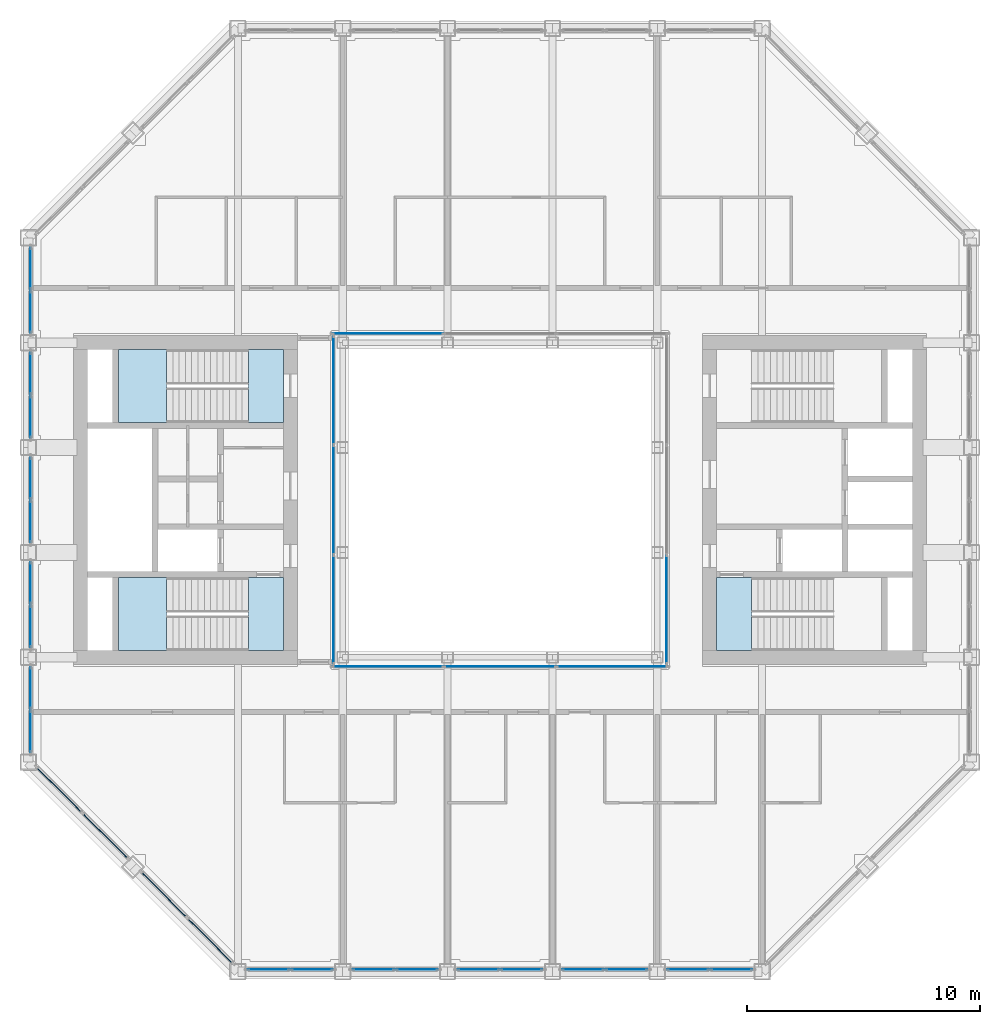
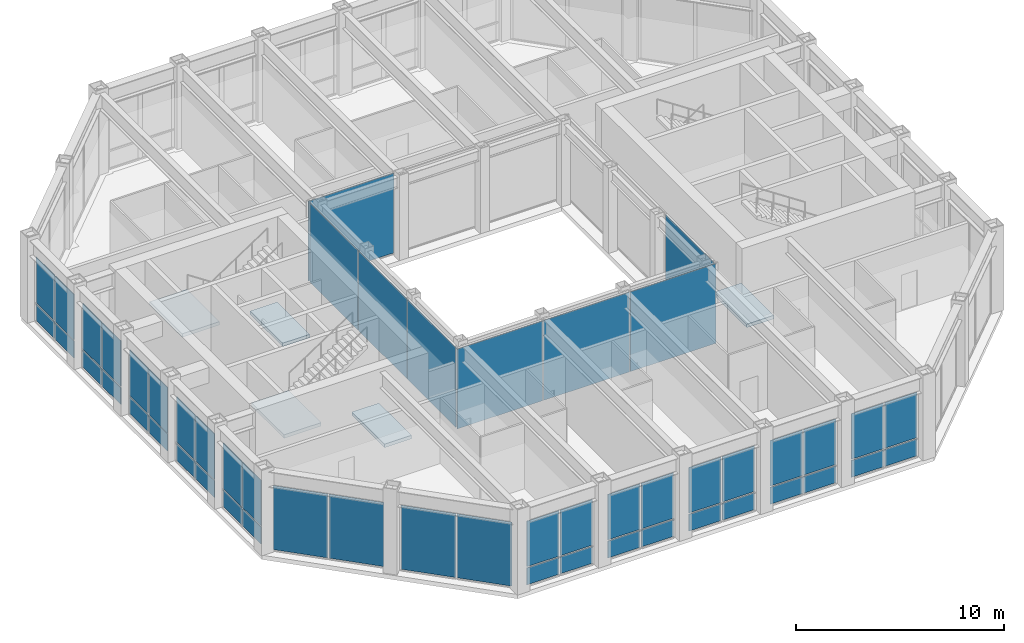
# One storey, part 9 of 15: 52 plates, 5 slabs, 19 elements without a shape of their own.
"""IFC4 building model written with IfcOpenShell, lengths in metres."""

from ifc_helpers import new_model, si_unit, direction, frame, origin, origin_2d, place, context, subcontext, project, spatial, polyline, rectangle, outline, extrude, material, layer, layer_set, type_object, element, aggregate, save


model = new_model("IFC4")

# Units and contexts
model_context = context("Model", 3, precision=1e-05, world=origin(), true_north=direction((0.0, 1.0)))
body_context = subcontext(model_context, "Body", "Model", "MODEL_VIEW")
ifc_project = project(units=[si_unit("LENGTHUNIT", "METRE"), si_unit("AREAUNIT", "SQUARE_METRE"), si_unit("VOLUMEUNIT", "CUBIC_METRE"), si_unit("PLANEANGLEUNIT", "RADIAN"), si_unit("MASSUNIT", "GRAM", prefix="KILO")], contexts=[model_context])

# Site, building, storey
site_placement = place(None, origin())
site = spatial("IfcSite", under=ifc_project, at=site_placement, CompositionType="ELEMENT")
building_placement = place(site_placement, origin())
building = spatial("IfcBuilding", under=site, at=building_placement, Name="Msasa Ring Tower", CompositionType="ELEMENT")
storey_placement = place(building_placement, frame((0.0, 0.0, 195.800048828125)))
storey = spatial("IfcBuildingStorey", under=building, at=storey_placement, Name="L51", CompositionType="ELEMENT", Elevation=195.800048828125)

# Curtain wall, plates
ifc_material_1 = material(Name="Aluminium curtain wall with clear glass", Category="aluminium")
curtain_wall_type_1 = type_object("IfcCurtainWallType", Name="CW-C CHAMFER CORNER CURTAIN WALL", PredefinedType="NOTDEFINED", material=ifc_material_1)
curtain_wall_1_placement = place(storey_placement, origin())
curtain_wall_1 = element("IfcCurtainWall", 1, at=curtain_wall_1_placement, inside=storey, type_object=curtain_wall_type_1, Name="Chamfer corner curtain wall SW L51", PredefinedType="NOTDEFINED")
ifc_material_2 = material(Name="Clear laminated insulating glass unit", Category="glass")
ifc_layer_1 = layer(ifc_material_2, 0.031982421875)
ifc_layer_set_1 = layer_set([ifc_layer_1], Name="CW-C GLASS PANEL 32")
plate_type_1 = type_object("IfcPlateType", Name="CW-C GLASS PANEL 32", PredefinedType="CURTAIN_PANEL", material=ifc_layer_set_1)
plate_1_placement = place(storey_placement, frame((-18.917236328125, -12.44140625, 0.06494140625), z_axis=(0.0, 0.0, 1.0), x_axis=(0.707106781187, -0.707106781187, 0.0)))
plate_1 = element("IfcPlate", 2, at=plate_1_placement, type_object=plate_type_1, Name="CW-C panel 1.1", PredefinedType="CURTAIN_PANEL", context=body_context, shape_type="SweptSolid", body=[
    extrude(rectangle(XDim=2.7294921875, YDim=0.031982421875, at=origin_2d()), origin(), (0.0, 0.0, 1.0), 3.7490234375),
])
plate_2_placement = place(storey_placement, frame((-16.94140625, -14.417236328125, 0.06494140625), z_axis=(0.0, 0.0, 1.0), x_axis=(0.707106781187, -0.707106781187, 0.0)))
plate_2 = element("IfcPlate", 3, at=plate_2_placement, type_object=plate_type_1, Name="CW-C panel 2.1", PredefinedType="CURTAIN_PANEL", context=body_context, shape_type="SweptSolid", body=[
    extrude(rectangle(XDim=2.7294921875, YDim=0.031982421875, at=origin_2d()), origin(), (0.0, 0.0, 1.0), 3.7490234375),
])
aggregate(curtain_wall_1, [plate_1, plate_2])

curtain_wall_2_placement = place(storey_placement, origin())
curtain_wall_2 = element("IfcCurtainWall", 4, at=curtain_wall_2_placement, inside=storey, type_object=curtain_wall_type_1, Name="Chamfer corner curtain wall SW L51", PredefinedType="NOTDEFINED")
plate_3_placement = place(storey_placement, frame((-14.417236328125, -16.94140625, 0.06494140625), z_axis=(0.0, 0.0, 1.0), x_axis=(0.707106781187, -0.707106781187, 0.0)))
plate_3 = element("IfcPlate", 5, at=plate_3_placement, type_object=plate_type_1, Name="CW-C panel 1.1", PredefinedType="CURTAIN_PANEL", context=body_context, shape_type="SweptSolid", body=[
    extrude(rectangle(XDim=2.7294921875, YDim=0.031982421875, at=origin_2d()), origin(), (0.0, 0.0, 1.0), 3.7490234375),
])
plate_4_placement = place(storey_placement, frame((-12.44140625, -18.917236328125, 0.06494140625), z_axis=(0.0, 0.0, 1.0), x_axis=(0.707106781187, -0.707106781187, 0.0)))
plate_4 = element("IfcPlate", 6, at=plate_4_placement, type_object=plate_type_1, Name="CW-C panel 2.1", PredefinedType="CURTAIN_PANEL", context=body_context, shape_type="SweptSolid", body=[
    extrude(rectangle(XDim=2.7294921875, YDim=0.031982421875, at=origin_2d()), origin(), (0.0, 0.0, 1.0), 3.7490234375),
])
aggregate(curtain_wall_2, [plate_3, plate_4])

ifc_material_3 = material(Name="Aluminium curtain wall with clear glass", Category="aluminium")
curtain_wall_type_2 = type_object("IfcCurtainWallType", Name="CW-S SKY LOBBY CURTAIN WALL", PredefinedType="NOTDEFINED", material=ifc_material_3)
curtain_wall_3_placement = place(storey_placement, origin())
curtain_wall_3 = element("IfcCurtainWall", 7, at=curtain_wall_3_placement, inside=storey, type_object=curtain_wall_type_2, Name="Sky lobby curtain wall S L51", PredefinedType="NOTDEFINED")
ifc_material_4 = material(Name="Clear laminated insulating glass unit", Category="glass")
ifc_layer_2 = layer(ifc_material_4, 0.035888671875)
ifc_layer_set_2 = layer_set([ifc_layer_2], Name="CW-S GLASS PANEL 36")
plate_type_2 = type_object("IfcPlateType", Name="CW-S GLASS PANEL 36", PredefinedType="CURTAIN_PANEL", material=ifc_layer_set_2)
plate_5_placement = place(storey_placement, frame((-9.9287109375, -20.14990234375, 0.07470703125), z_axis=(0.0, 0.0, 1.0), x_axis=(1.0, 0.0, 0.0)))
plate_5 = element("IfcPlate", 8, at=plate_5_placement, type_object=plate_type_2, Name="CW-S panel 1.1", PredefinedType="CURTAIN_PANEL", context=body_context, shape_type="SweptSolid", body=[
    extrude(rectangle(XDim=1.782470703125, YDim=0.035888671875, at=origin_2d()), origin(), (0.0, 0.0, 1.0), 0.987548828125),
])
plate_6_placement = place(storey_placement, frame((-9.9287109375, -20.14990234375, 1.137451171875), z_axis=(0.0, 0.0, 1.0), x_axis=(1.0, 0.0, 0.0)))
plate_6 = element("IfcPlate", 9, at=plate_6_placement, type_object=plate_type_2, Name="CW-S panel 1.2", PredefinedType="CURTAIN_PANEL", context=body_context, shape_type="SweptSolid", body=[
    extrude(rectangle(XDim=1.782470703125, YDim=0.035888671875, at=origin_2d()), origin(), (0.0, 0.0, 1.0), 2.66650390625),
])
plate_7_placement = place(storey_placement, frame((-8.0712890625, -20.14990234375, 0.07470703125), z_axis=(0.0, 0.0, 1.0), x_axis=(1.0, 0.0, 0.0)))
plate_7 = element("IfcPlate", 10, at=plate_7_placement, type_object=plate_type_2, Name="CW-S panel 2.1", PredefinedType="CURTAIN_PANEL", context=body_context, shape_type="SweptSolid", body=[
    extrude(rectangle(XDim=1.782470703125, YDim=0.035888671875, at=origin_2d()), origin(), (0.0, 0.0, 1.0), 0.987548828125),
])
plate_8_placement = place(storey_placement, frame((-8.0712890625, -20.14990234375, 1.137451171875), z_axis=(0.0, 0.0, 1.0), x_axis=(1.0, 0.0, 0.0)))
plate_8 = element("IfcPlate", 11, at=plate_8_placement, type_object=plate_type_2, Name="CW-S panel 2.2", PredefinedType="CURTAIN_PANEL", context=body_context, shape_type="SweptSolid", body=[
    extrude(rectangle(XDim=1.782470703125, YDim=0.035888671875, at=origin_2d()), origin(), (0.0, 0.0, 1.0), 2.66650390625),
])
aggregate(curtain_wall_3, [plate_5, plate_6, plate_7, plate_8])

curtain_wall_4_placement = place(storey_placement, origin())
curtain_wall_4 = element("IfcCurtainWall", 12, at=curtain_wall_4_placement, inside=storey, type_object=curtain_wall_type_2, Name="Sky lobby curtain wall S L51", PredefinedType="NOTDEFINED")
plate_9_placement = place(storey_placement, frame((-5.4287109375, -20.14990234375, 0.07470703125), z_axis=(0.0, 0.0, 1.0), x_axis=(1.0, 0.0, 0.0)))
plate_9 = element("IfcPlate", 13, at=plate_9_placement, type_object=plate_type_2, Name="CW-S panel 1.1", PredefinedType="CURTAIN_PANEL", context=body_context, shape_type="SweptSolid", body=[
    extrude(rectangle(XDim=1.782470703125, YDim=0.035888671875, at=origin_2d()), origin(), (0.0, 0.0, 1.0), 0.987548828125),
])
plate_10_placement = place(storey_placement, frame((-5.4287109375, -20.14990234375, 1.137451171875), z_axis=(0.0, 0.0, 1.0), x_axis=(1.0, 0.0, 0.0)))
plate_10 = element("IfcPlate", 14, at=plate_10_placement, type_object=plate_type_2, Name="CW-S panel 1.2", PredefinedType="CURTAIN_PANEL", context=body_context, shape_type="SweptSolid", body=[
    extrude(rectangle(XDim=1.782470703125, YDim=0.035888671875, at=origin_2d()), origin(), (0.0, 0.0, 1.0), 2.66650390625),
])
plate_11_placement = place(storey_placement, frame((-3.5712890625, -20.14990234375, 0.07470703125), z_axis=(0.0, 0.0, 1.0), x_axis=(1.0, 0.0, 0.0)))
plate_11 = element("IfcPlate", 15, at=plate_11_placement, type_object=plate_type_2, Name="CW-S panel 2.1", PredefinedType="CURTAIN_PANEL", context=body_context, shape_type="SweptSolid", body=[
    extrude(rectangle(XDim=1.782470703125, YDim=0.035888671875, at=origin_2d()), origin(), (0.0, 0.0, 1.0), 0.987548828125),
])
plate_12_placement = place(storey_placement, frame((-3.5712890625, -20.14990234375, 1.137451171875), z_axis=(0.0, 0.0, 1.0), x_axis=(1.0, 0.0, 0.0)))
plate_12 = element("IfcPlate", 16, at=plate_12_placement, type_object=plate_type_2, Name="CW-S panel 2.2", PredefinedType="CURTAIN_PANEL", context=body_context, shape_type="SweptSolid", body=[
    extrude(rectangle(XDim=1.782470703125, YDim=0.035888671875, at=origin_2d()), origin(), (0.0, 0.0, 1.0), 2.66650390625),
])
aggregate(curtain_wall_4, [plate_9, plate_10, plate_11, plate_12])

curtain_wall_5_placement = place(storey_placement, origin())
curtain_wall_5 = element("IfcCurtainWall", 17, at=curtain_wall_5_placement, inside=storey, type_object=curtain_wall_type_2, Name="Sky lobby curtain wall S L51", PredefinedType="NOTDEFINED")
plate_13_placement = place(storey_placement, frame((-0.9287109375, -20.14990234375, 0.07470703125), z_axis=(0.0, 0.0, 1.0), x_axis=(1.0, 0.0, 0.0)))
plate_13 = element("IfcPlate", 18, at=plate_13_placement, type_object=plate_type_2, Name="CW-S panel 1.1", PredefinedType="CURTAIN_PANEL", context=body_context, shape_type="SweptSolid", body=[
    extrude(rectangle(XDim=1.782470703125, YDim=0.035888671875, at=origin_2d()), origin(), (0.0, 0.0, 1.0), 0.987548828125),
])
plate_14_placement = place(storey_placement, frame((-0.9287109375, -20.14990234375, 1.137451171875), z_axis=(0.0, 0.0, 1.0), x_axis=(1.0, 0.0, 0.0)))
plate_14 = element("IfcPlate", 19, at=plate_14_placement, type_object=plate_type_2, Name="CW-S panel 1.2", PredefinedType="CURTAIN_PANEL", context=body_context, shape_type="SweptSolid", body=[
    extrude(rectangle(XDim=1.782470703125, YDim=0.035888671875, at=origin_2d()), origin(), (0.0, 0.0, 1.0), 2.66650390625),
])
plate_15_placement = place(storey_placement, frame((0.9287109375, -20.14990234375, 0.07470703125), z_axis=(0.0, 0.0, 1.0), x_axis=(1.0, 0.0, 0.0)))
plate_15 = element("IfcPlate", 20, at=plate_15_placement, type_object=plate_type_2, Name="CW-S panel 2.1", PredefinedType="CURTAIN_PANEL", context=body_context, shape_type="SweptSolid", body=[
    extrude(rectangle(XDim=1.782470703125, YDim=0.035888671875, at=origin_2d()), origin(), (0.0, 0.0, 1.0), 0.987548828125),
])
plate_16_placement = place(storey_placement, frame((0.9287109375, -20.14990234375, 1.137451171875), z_axis=(0.0, 0.0, 1.0), x_axis=(1.0, 0.0, 0.0)))
plate_16 = element("IfcPlate", 21, at=plate_16_placement, type_object=plate_type_2, Name="CW-S panel 2.2", PredefinedType="CURTAIN_PANEL", context=body_context, shape_type="SweptSolid", body=[
    extrude(rectangle(XDim=1.782470703125, YDim=0.035888671875, at=origin_2d()), origin(), (0.0, 0.0, 1.0), 2.66650390625),
])
aggregate(curtain_wall_5, [plate_13, plate_14, plate_15, plate_16])

curtain_wall_6_placement = place(storey_placement, origin())
curtain_wall_6 = element("IfcCurtainWall", 22, at=curtain_wall_6_placement, inside=storey, type_object=curtain_wall_type_2, Name="Sky lobby curtain wall S L51", PredefinedType="NOTDEFINED")
plate_17_placement = place(storey_placement, frame((3.5712890625, -20.14990234375, 0.07470703125), z_axis=(0.0, 0.0, 1.0), x_axis=(1.0, 0.0, 0.0)))
plate_17 = element("IfcPlate", 23, at=plate_17_placement, type_object=plate_type_2, Name="CW-S panel 1.1", PredefinedType="CURTAIN_PANEL", context=body_context, shape_type="SweptSolid", body=[
    extrude(rectangle(XDim=1.782470703125, YDim=0.035888671875, at=origin_2d()), origin(), (0.0, 0.0, 1.0), 0.987548828125),
])
plate_18_placement = place(storey_placement, frame((3.5712890625, -20.14990234375, 1.137451171875), z_axis=(0.0, 0.0, 1.0), x_axis=(1.0, 0.0, 0.0)))
plate_18 = element("IfcPlate", 24, at=plate_18_placement, type_object=plate_type_2, Name="CW-S panel 1.2", PredefinedType="CURTAIN_PANEL", context=body_context, shape_type="SweptSolid", body=[
    extrude(rectangle(XDim=1.782470703125, YDim=0.035888671875, at=origin_2d()), origin(), (0.0, 0.0, 1.0), 2.66650390625),
])
plate_19_placement = place(storey_placement, frame((5.4287109375, -20.14990234375, 0.07470703125), z_axis=(0.0, 0.0, 1.0), x_axis=(1.0, 0.0, 0.0)))
plate_19 = element("IfcPlate", 25, at=plate_19_placement, type_object=plate_type_2, Name="CW-S panel 2.1", PredefinedType="CURTAIN_PANEL", context=body_context, shape_type="SweptSolid", body=[
    extrude(rectangle(XDim=1.782470703125, YDim=0.035888671875, at=origin_2d()), origin(), (0.0, 0.0, 1.0), 0.987548828125),
])
plate_20_placement = place(storey_placement, frame((5.4287109375, -20.14990234375, 1.137451171875), z_axis=(0.0, 0.0, 1.0), x_axis=(1.0, 0.0, 0.0)))
plate_20 = element("IfcPlate", 26, at=plate_20_placement, type_object=plate_type_2, Name="CW-S panel 2.2", PredefinedType="CURTAIN_PANEL", context=body_context, shape_type="SweptSolid", body=[
    extrude(rectangle(XDim=1.782470703125, YDim=0.035888671875, at=origin_2d()), origin(), (0.0, 0.0, 1.0), 2.66650390625),
])
aggregate(curtain_wall_6, [plate_17, plate_18, plate_19, plate_20])

curtain_wall_7_placement = place(storey_placement, origin())
curtain_wall_7 = element("IfcCurtainWall", 27, at=curtain_wall_7_placement, inside=storey, type_object=curtain_wall_type_2, Name="Sky lobby curtain wall S L51", PredefinedType="NOTDEFINED")
plate_21_placement = place(storey_placement, frame((8.0712890625, -20.14990234375, 0.07470703125), z_axis=(0.0, 0.0, 1.0), x_axis=(1.0, 0.0, 0.0)))
plate_21 = element("IfcPlate", 28, at=plate_21_placement, type_object=plate_type_2, Name="CW-S panel 1.1", PredefinedType="CURTAIN_PANEL", context=body_context, shape_type="SweptSolid", body=[
    extrude(rectangle(XDim=1.782470703125, YDim=0.035888671875, at=origin_2d()), origin(), (0.0, 0.0, 1.0), 0.987548828125),
])
plate_22_placement = place(storey_placement, frame((8.0712890625, -20.14990234375, 1.137451171875), z_axis=(0.0, 0.0, 1.0), x_axis=(1.0, 0.0, 0.0)))
plate_22 = element("IfcPlate", 29, at=plate_22_placement, type_object=plate_type_2, Name="CW-S panel 1.2", PredefinedType="CURTAIN_PANEL", context=body_context, shape_type="SweptSolid", body=[
    extrude(rectangle(XDim=1.782470703125, YDim=0.035888671875, at=origin_2d()), origin(), (0.0, 0.0, 1.0), 2.66650390625),
])
plate_23_placement = place(storey_placement, frame((9.9287109375, -20.14990234375, 0.07470703125), z_axis=(0.0, 0.0, 1.0), x_axis=(1.0, 0.0, 0.0)))
plate_23 = element("IfcPlate", 30, at=plate_23_placement, type_object=plate_type_2, Name="CW-S panel 2.1", PredefinedType="CURTAIN_PANEL", context=body_context, shape_type="SweptSolid", body=[
    extrude(rectangle(XDim=1.782470703125, YDim=0.035888671875, at=origin_2d()), origin(), (0.0, 0.0, 1.0), 0.987548828125),
])
plate_24_placement = place(storey_placement, frame((9.9287109375, -20.14990234375, 1.137451171875), z_axis=(0.0, 0.0, 1.0), x_axis=(1.0, 0.0, 0.0)))
plate_24 = element("IfcPlate", 31, at=plate_24_placement, type_object=plate_type_2, Name="CW-S panel 2.2", PredefinedType="CURTAIN_PANEL", context=body_context, shape_type="SweptSolid", body=[
    extrude(rectangle(XDim=1.782470703125, YDim=0.035888671875, at=origin_2d()), origin(), (0.0, 0.0, 1.0), 2.66650390625),
])
aggregate(curtain_wall_7, [plate_21, plate_22, plate_23, plate_24])

curtain_wall_8_placement = place(storey_placement, origin())
curtain_wall_8 = element("IfcCurtainWall", 32, at=curtain_wall_8_placement, inside=storey, type_object=curtain_wall_type_2, Name="Sky lobby curtain wall W L51", PredefinedType="NOTDEFINED")
plate_25_placement = place(storey_placement, frame((-20.14990234375, -9.9287109375, 0.07470703125), z_axis=(0.0, 0.0, 1.0), x_axis=(0.0, 1.0, 0.0)))
plate_25 = element("IfcPlate", 33, at=plate_25_placement, type_object=plate_type_2, Name="CW-S panel 1.1", PredefinedType="CURTAIN_PANEL", context=body_context, shape_type="SweptSolid", body=[
    extrude(rectangle(XDim=1.782470703125, YDim=0.035888671875, at=origin_2d()), origin(), (0.0, 0.0, 1.0), 0.987548828125),
])
plate_26_placement = place(storey_placement, frame((-20.14990234375, -9.9287109375, 1.137451171875), z_axis=(0.0, 0.0, 1.0), x_axis=(0.0, 1.0, 0.0)))
plate_26 = element("IfcPlate", 34, at=plate_26_placement, type_object=plate_type_2, Name="CW-S panel 1.2", PredefinedType="CURTAIN_PANEL", context=body_context, shape_type="SweptSolid", body=[
    extrude(rectangle(XDim=1.782470703125, YDim=0.035888671875, at=origin_2d()), origin(), (0.0, 0.0, 1.0), 2.66650390625),
])
plate_27_placement = place(storey_placement, frame((-20.14990234375, -8.0712890625, 0.07470703125), z_axis=(0.0, 0.0, 1.0), x_axis=(0.0, 1.0, 0.0)))
plate_27 = element("IfcPlate", 35, at=plate_27_placement, type_object=plate_type_2, Name="CW-S panel 2.1", PredefinedType="CURTAIN_PANEL", context=body_context, shape_type="SweptSolid", body=[
    extrude(rectangle(XDim=1.782470703125, YDim=0.035888671875, at=origin_2d()), origin(), (0.0, 0.0, 1.0), 0.987548828125),
])
plate_28_placement = place(storey_placement, frame((-20.14990234375, -8.0712890625, 1.137451171875), z_axis=(0.0, 0.0, 1.0), x_axis=(0.0, 1.0, 0.0)))
plate_28 = element("IfcPlate", 36, at=plate_28_placement, type_object=plate_type_2, Name="CW-S panel 2.2", PredefinedType="CURTAIN_PANEL", context=body_context, shape_type="SweptSolid", body=[
    extrude(rectangle(XDim=1.782470703125, YDim=0.035888671875, at=origin_2d()), origin(), (0.0, 0.0, 1.0), 2.66650390625),
])
aggregate(curtain_wall_8, [plate_25, plate_26, plate_27, plate_28])

curtain_wall_9_placement = place(storey_placement, origin())
curtain_wall_9 = element("IfcCurtainWall", 37, at=curtain_wall_9_placement, inside=storey, type_object=curtain_wall_type_2, Name="Sky lobby curtain wall W L51", PredefinedType="NOTDEFINED")
plate_29_placement = place(storey_placement, frame((-20.14990234375, -5.4287109375, 0.07470703125), z_axis=(0.0, 0.0, 1.0), x_axis=(0.0, 1.0, 0.0)))
plate_29 = element("IfcPlate", 38, at=plate_29_placement, type_object=plate_type_2, Name="CW-S panel 1.1", PredefinedType="CURTAIN_PANEL", context=body_context, shape_type="SweptSolid", body=[
    extrude(rectangle(XDim=1.782470703125, YDim=0.035888671875, at=origin_2d()), origin(), (0.0, 0.0, 1.0), 0.987548828125),
])
plate_30_placement = place(storey_placement, frame((-20.14990234375, -5.4287109375, 1.137451171875), z_axis=(0.0, 0.0, 1.0), x_axis=(0.0, 1.0, 0.0)))
plate_30 = element("IfcPlate", 39, at=plate_30_placement, type_object=plate_type_2, Name="CW-S panel 1.2", PredefinedType="CURTAIN_PANEL", context=body_context, shape_type="SweptSolid", body=[
    extrude(rectangle(XDim=1.782470703125, YDim=0.035888671875, at=origin_2d()), origin(), (0.0, 0.0, 1.0), 2.66650390625),
])
plate_31_placement = place(storey_placement, frame((-20.14990234375, -3.5712890625, 0.07470703125), z_axis=(0.0, 0.0, 1.0), x_axis=(0.0, 1.0, 0.0)))
plate_31 = element("IfcPlate", 40, at=plate_31_placement, type_object=plate_type_2, Name="CW-S panel 2.1", PredefinedType="CURTAIN_PANEL", context=body_context, shape_type="SweptSolid", body=[
    extrude(rectangle(XDim=1.782470703125, YDim=0.035888671875, at=origin_2d()), origin(), (0.0, 0.0, 1.0), 0.987548828125),
])
plate_32_placement = place(storey_placement, frame((-20.14990234375, -3.5712890625, 1.137451171875), z_axis=(0.0, 0.0, 1.0), x_axis=(0.0, 1.0, 0.0)))
plate_32 = element("IfcPlate", 41, at=plate_32_placement, type_object=plate_type_2, Name="CW-S panel 2.2", PredefinedType="CURTAIN_PANEL", context=body_context, shape_type="SweptSolid", body=[
    extrude(rectangle(XDim=1.782470703125, YDim=0.035888671875, at=origin_2d()), origin(), (0.0, 0.0, 1.0), 2.66650390625),
])
aggregate(curtain_wall_9, [plate_29, plate_30, plate_31, plate_32])

curtain_wall_10_placement = place(storey_placement, origin())
curtain_wall_10 = element("IfcCurtainWall", 42, at=curtain_wall_10_placement, inside=storey, type_object=curtain_wall_type_2, Name="Sky lobby curtain wall W L51", PredefinedType="NOTDEFINED")
plate_33_placement = place(storey_placement, frame((-20.14990234375, -0.9287109375, 0.07470703125), z_axis=(0.0, 0.0, 1.0), x_axis=(0.0, 1.0, 0.0)))
plate_33 = element("IfcPlate", 43, at=plate_33_placement, type_object=plate_type_2, Name="CW-S panel 1.1", PredefinedType="CURTAIN_PANEL", context=body_context, shape_type="SweptSolid", body=[
    extrude(rectangle(XDim=1.782470703125, YDim=0.035888671875, at=origin_2d()), origin(), (0.0, 0.0, 1.0), 0.987548828125),
])
plate_34_placement = place(storey_placement, frame((-20.14990234375, -0.9287109375, 1.137451171875), z_axis=(0.0, 0.0, 1.0), x_axis=(0.0, 1.0, 0.0)))
plate_34 = element("IfcPlate", 44, at=plate_34_placement, type_object=plate_type_2, Name="CW-S panel 1.2", PredefinedType="CURTAIN_PANEL", context=body_context, shape_type="SweptSolid", body=[
    extrude(rectangle(XDim=1.782470703125, YDim=0.035888671875, at=origin_2d()), origin(), (0.0, 0.0, 1.0), 2.66650390625),
])
plate_35_placement = place(storey_placement, frame((-20.14990234375, 0.9287109375, 0.07470703125), z_axis=(0.0, 0.0, 1.0), x_axis=(0.0, 1.0, 0.0)))
plate_35 = element("IfcPlate", 45, at=plate_35_placement, type_object=plate_type_2, Name="CW-S panel 2.1", PredefinedType="CURTAIN_PANEL", context=body_context, shape_type="SweptSolid", body=[
    extrude(rectangle(XDim=1.782470703125, YDim=0.035888671875, at=origin_2d()), origin(), (0.0, 0.0, 1.0), 0.987548828125),
])
plate_36_placement = place(storey_placement, frame((-20.14990234375, 0.9287109375, 1.137451171875), z_axis=(0.0, 0.0, 1.0), x_axis=(0.0, 1.0, 0.0)))
plate_36 = element("IfcPlate", 46, at=plate_36_placement, type_object=plate_type_2, Name="CW-S panel 2.2", PredefinedType="CURTAIN_PANEL", context=body_context, shape_type="SweptSolid", body=[
    extrude(rectangle(XDim=1.782470703125, YDim=0.035888671875, at=origin_2d()), origin(), (0.0, 0.0, 1.0), 2.66650390625),
])
aggregate(curtain_wall_10, [plate_33, plate_34, plate_35, plate_36])

curtain_wall_11_placement = place(storey_placement, origin())
curtain_wall_11 = element("IfcCurtainWall", 47, at=curtain_wall_11_placement, inside=storey, type_object=curtain_wall_type_2, Name="Sky lobby curtain wall W L51", PredefinedType="NOTDEFINED")
plate_37_placement = place(storey_placement, frame((-20.14990234375, 3.5712890625, 0.07470703125), z_axis=(0.0, 0.0, 1.0), x_axis=(0.0, 1.0, 0.0)))
plate_37 = element("IfcPlate", 48, at=plate_37_placement, type_object=plate_type_2, Name="CW-S panel 1.1", PredefinedType="CURTAIN_PANEL", context=body_context, shape_type="SweptSolid", body=[
    extrude(rectangle(XDim=1.782470703125, YDim=0.035888671875, at=origin_2d()), origin(), (0.0, 0.0, 1.0), 0.987548828125),
])
plate_38_placement = place(storey_placement, frame((-20.14990234375, 3.5712890625, 1.137451171875), z_axis=(0.0, 0.0, 1.0), x_axis=(0.0, 1.0, 0.0)))
plate_38 = element("IfcPlate", 49, at=plate_38_placement, type_object=plate_type_2, Name="CW-S panel 1.2", PredefinedType="CURTAIN_PANEL", context=body_context, shape_type="SweptSolid", body=[
    extrude(rectangle(XDim=1.782470703125, YDim=0.035888671875, at=origin_2d()), origin(), (0.0, 0.0, 1.0), 2.66650390625),
])
plate_39_placement = place(storey_placement, frame((-20.14990234375, 5.4287109375, 0.07470703125), z_axis=(0.0, 0.0, 1.0), x_axis=(0.0, 1.0, 0.0)))
plate_39 = element("IfcPlate", 50, at=plate_39_placement, type_object=plate_type_2, Name="CW-S panel 2.1", PredefinedType="CURTAIN_PANEL", context=body_context, shape_type="SweptSolid", body=[
    extrude(rectangle(XDim=1.782470703125, YDim=0.035888671875, at=origin_2d()), origin(), (0.0, 0.0, 1.0), 0.987548828125),
])
plate_40_placement = place(storey_placement, frame((-20.14990234375, 5.4287109375, 1.137451171875), z_axis=(0.0, 0.0, 1.0), x_axis=(0.0, 1.0, 0.0)))
plate_40 = element("IfcPlate", 51, at=plate_40_placement, type_object=plate_type_2, Name="CW-S panel 2.2", PredefinedType="CURTAIN_PANEL", context=body_context, shape_type="SweptSolid", body=[
    extrude(rectangle(XDim=1.782470703125, YDim=0.035888671875, at=origin_2d()), origin(), (0.0, 0.0, 1.0), 2.66650390625),
])
aggregate(curtain_wall_11, [plate_37, plate_38, plate_39, plate_40])

curtain_wall_12_placement = place(storey_placement, origin())
curtain_wall_12 = element("IfcCurtainWall", 52, at=curtain_wall_12_placement, inside=storey, type_object=curtain_wall_type_2, Name="Sky lobby curtain wall W L51", PredefinedType="NOTDEFINED")
plate_41_placement = place(storey_placement, frame((-20.14990234375, 8.0712890625, 0.07470703125), z_axis=(0.0, 0.0, 1.0), x_axis=(0.0, 1.0, 0.0)))
plate_41 = element("IfcPlate", 53, at=plate_41_placement, type_object=plate_type_2, Name="CW-S panel 1.1", PredefinedType="CURTAIN_PANEL", context=body_context, shape_type="SweptSolid", body=[
    extrude(rectangle(XDim=1.782470703125, YDim=0.035888671875, at=origin_2d()), origin(), (0.0, 0.0, 1.0), 0.987548828125),
])
plate_42_placement = place(storey_placement, frame((-20.14990234375, 8.0712890625, 1.137451171875), z_axis=(0.0, 0.0, 1.0), x_axis=(0.0, 1.0, 0.0)))
plate_42 = element("IfcPlate", 54, at=plate_42_placement, type_object=plate_type_2, Name="CW-S panel 1.2", PredefinedType="CURTAIN_PANEL", context=body_context, shape_type="SweptSolid", body=[
    extrude(rectangle(XDim=1.782470703125, YDim=0.035888671875, at=origin_2d()), origin(), (0.0, 0.0, 1.0), 2.66650390625),
])
plate_43_placement = place(storey_placement, frame((-20.14990234375, 9.9287109375, 0.07470703125), z_axis=(0.0, 0.0, 1.0), x_axis=(0.0, 1.0, 0.0)))
plate_43 = element("IfcPlate", 55, at=plate_43_placement, type_object=plate_type_2, Name="CW-S panel 2.1", PredefinedType="CURTAIN_PANEL", context=body_context, shape_type="SweptSolid", body=[
    extrude(rectangle(XDim=1.782470703125, YDim=0.035888671875, at=origin_2d()), origin(), (0.0, 0.0, 1.0), 0.987548828125),
])
plate_44_placement = place(storey_placement, frame((-20.14990234375, 9.9287109375, 1.137451171875), z_axis=(0.0, 0.0, 1.0), x_axis=(0.0, 1.0, 0.0)))
plate_44 = element("IfcPlate", 56, at=plate_44_placement, type_object=plate_type_2, Name="CW-S panel 2.2", PredefinedType="CURTAIN_PANEL", context=body_context, shape_type="SweptSolid", body=[
    extrude(rectangle(XDim=1.782470703125, YDim=0.035888671875, at=origin_2d()), origin(), (0.0, 0.0, 1.0), 2.66650390625),
])
aggregate(curtain_wall_12, [plate_41, plate_42, plate_43, plate_44])

# Curtain wall, plate
ifc_material_5 = material(Name="Aluminium curtain wall with clear glass", Category="aluminium")
curtain_wall_type_3 = type_object("IfcCurtainWallType", Name="CW-W LIGHT WELL CURTAIN WALL", PredefinedType="NOTDEFINED", material=ifc_material_5)
curtain_wall_13_placement = place(storey_placement, origin())
curtain_wall_13 = element("IfcCurtainWall", 57, at=curtain_wall_13_placement, inside=storey, type_object=curtain_wall_type_3, Name="Light well curtain wall N L51", PredefinedType="NOTDEFINED")
ifc_material_6 = material(Name="Clear laminated insulating glass unit", Category="glass")
ifc_layer_3 = layer(ifc_material_6, 0.028076171875)
ifc_layer_set_3 = layer_set([ifc_layer_3], Name="CW-W GLASS PANEL 28")
plate_type_3 = type_object("IfcPlateType", Name="CW-W GLASS PANEL 28", PredefinedType="CURTAIN_PANEL", material=ifc_layer_set_3)
plate_45_placement = place(storey_placement, frame((-4.804931640625, 7.14990234375, 0.06005859375), z_axis=(0.0, 0.0, 1.0), x_axis=(1.0, 0.0, 0.0)))
plate_45 = element("IfcPlate", 58, at=plate_45_placement, type_object=plate_type_3, Name="CW-W panel 1.1", PredefinedType="CURTAIN_PANEL", context=body_context, shape_type="SweptSolid", body=[
    extrude(rectangle(XDim=4.72998046875, YDim=0.028076171875, at=origin_2d()), origin(), (0.0, 0.0, 1.0), 4.679931640625),
])
aggregate(curtain_wall_13, [plate_45])

# Curtain wall, plates
curtain_wall_14_placement = place(storey_placement, origin())
curtain_wall_14 = element("IfcCurtainWall", 59, at=curtain_wall_14_placement, inside=storey, type_object=curtain_wall_type_3, Name="Light well curtain wall S L51", PredefinedType="NOTDEFINED")
plate_46_placement = place(storey_placement, frame((-4.804931640625, -7.14990234375, 0.06005859375), z_axis=(0.0, 0.0, 1.0), x_axis=(1.0, 0.0, 0.0)))
plate_46 = element("IfcPlate", 60, at=plate_46_placement, type_object=plate_type_3, Name="CW-W panel 1.1", PredefinedType="CURTAIN_PANEL", context=body_context, shape_type="SweptSolid", body=[
    extrude(rectangle(XDim=4.72998046875, YDim=0.028076171875, at=origin_2d()), origin(), (0.0, 0.0, 1.0), 4.679931640625),
])
plate_47_placement = place(storey_placement, frame((0.0, -7.14990234375, 0.06005859375), z_axis=(0.0, 0.0, 1.0), x_axis=(1.0, 0.0, 0.0)))
plate_47 = element("IfcPlate", 61, at=plate_47_placement, type_object=plate_type_3, Name="CW-W panel 2.1", PredefinedType="CURTAIN_PANEL", context=body_context, shape_type="SweptSolid", body=[
    extrude(rectangle(XDim=4.760009765625, YDim=0.028076171875, at=origin_2d()), origin(), (0.0, 0.0, 1.0), 4.679931640625),
])
plate_48_placement = place(storey_placement, frame((4.804931640625, -7.14990234375, 0.06005859375), z_axis=(0.0, 0.0, 1.0), x_axis=(1.0, 0.0, 0.0)))
plate_48 = element("IfcPlate", 62, at=plate_48_placement, type_object=plate_type_3, Name="CW-W panel 3.1", PredefinedType="CURTAIN_PANEL", context=body_context, shape_type="SweptSolid", body=[
    extrude(rectangle(XDim=4.72998046875, YDim=0.028076171875, at=origin_2d()), origin(), (0.0, 0.0, 1.0), 4.679931640625),
])
aggregate(curtain_wall_14, [plate_46, plate_47, plate_48])

# Curtain wall, plate
curtain_wall_15_placement = place(storey_placement, origin())
curtain_wall_15 = element("IfcCurtainWall", 63, at=curtain_wall_15_placement, inside=storey, type_object=curtain_wall_type_3, Name="Light well curtain wall E L51", PredefinedType="NOTDEFINED")
plate_49_placement = place(storey_placement, frame((7.14990234375, -4.6982421875, 0.06005859375), z_axis=(0.0, 0.0, 1.0), x_axis=(0.0, 1.0, 0.0)))
plate_49 = element("IfcPlate", 64, at=plate_49_placement, type_object=plate_type_3, Name="CW-W panel 1.1", PredefinedType="CURTAIN_PANEL", context=body_context, shape_type="SweptSolid", body=[
    extrude(rectangle(XDim=4.623291015625, YDim=0.028076171875, at=origin_2d()), origin(), (0.0, 0.0, 1.0), 4.679931640625),
])
aggregate(curtain_wall_15, [plate_49])

# Curtain wall, plates
curtain_wall_16_placement = place(storey_placement, origin())
curtain_wall_16 = element("IfcCurtainWall", 65, at=curtain_wall_16_placement, inside=storey, type_object=curtain_wall_type_3, Name="Light well curtain wall W L51", PredefinedType="NOTDEFINED")
plate_50_placement = place(storey_placement, frame((-7.14990234375, -4.6982421875, 0.06005859375), z_axis=(0.0, 0.0, 1.0), x_axis=(0.0, 1.0, 0.0)))
plate_50 = element("IfcPlate", 66, at=plate_50_placement, type_object=plate_type_3, Name="CW-W panel 1.1", PredefinedType="CURTAIN_PANEL", context=body_context, shape_type="SweptSolid", body=[
    extrude(rectangle(XDim=4.623291015625, YDim=0.028076171875, at=origin_2d()), origin(), (0.0, 0.0, 1.0), 4.679931640625),
])
plate_51_placement = place(storey_placement, frame((-7.14990234375, 0.0, 0.06005859375), z_axis=(0.0, 0.0, 1.0), x_axis=(0.0, 1.0, 0.0)))
plate_51 = element("IfcPlate", 67, at=plate_51_placement, type_object=plate_type_3, Name="CW-W panel 2.1", PredefinedType="CURTAIN_PANEL", context=body_context, shape_type="SweptSolid", body=[
    extrude(rectangle(XDim=4.6533203125, YDim=0.028076171875, at=origin_2d()), origin(), (0.0, 0.0, 1.0), 4.679931640625),
])
plate_52_placement = place(storey_placement, frame((-7.14990234375, 4.6982421875, 0.06005859375), z_axis=(0.0, 0.0, 1.0), x_axis=(0.0, 1.0, 0.0)))
plate_52 = element("IfcPlate", 68, at=plate_52_placement, type_object=plate_type_3, Name="CW-W panel 3.1", PredefinedType="CURTAIN_PANEL", context=body_context, shape_type="SweptSolid", body=[
    extrude(rectangle(XDim=4.623291015625, YDim=0.028076171875, at=origin_2d()), origin(), (0.0, 0.0, 1.0), 4.679931640625),
])
aggregate(curtain_wall_16, [plate_50, plate_51, plate_52])

# Stair, slab
ifc_material_7 = material(Name="Concrete C40/50", Category="concrete")
stair_type = type_object("IfcStairType", Name="STC CORE STAIR 28 RISERS 178.6", PredefinedType="HALF_TURN_STAIR", material=ifc_material_7)
stair_1_placement = place(storey_placement, origin())
stair_1 = element("IfcStair", 69, at=stair_1_placement, inside=storey, type_object=stair_type, Name="Core stair SEA L51", PredefinedType="HALF_TURN_STAIR")
ifc_material_8 = material(Name="Concrete C40/50", Category="concrete")
ifc_layer_4 = layer(ifc_material_8, 0.199951171875)
ifc_layer_set_4 = layer_set([ifc_layer_4], Name="LD1 CORE STAIR LANDING 200")
slab_type = type_object("IfcSlabType", Name="LD1 CORE STAIR LANDING 200", PredefinedType="LANDING", material=ifc_layer_set_4)
slab_1_placement = place(storey_placement, frame((0.0, 0.0, -0.199951171875)))
slab_1 = element("IfcSlab", 70, at=slab_1_placement, type_object=slab_type, Name="SEA landing 1", PredefinedType="LANDING", context=body_context, shape_type="SweptSolid", body=[
    extrude(outline(polyline([(9.300048828125, -6.449951171875), (10.800048828125, -6.449951171875), (10.800048828125, -3.324951171875), (9.300048828125, -3.324951171875), (9.300048828125, -6.449951171875)])), origin(), (0.0, 0.0, 1.0), 0.199951171875),
])
aggregate(stair_1, [slab_1])

# Stair, slabs
stair_2_placement = place(storey_placement, origin())
stair_2 = element("IfcStair", 71, at=stair_2_placement, inside=storey, type_object=stair_type, Name="Core stair SWA L51", PredefinedType="HALF_TURN_STAIR")
slab_2_placement = place(storey_placement, frame((0.0, 0.0, -0.199951171875)))
slab_2 = element("IfcSlab", 72, at=slab_2_placement, type_object=slab_type, Name="SWA landing 1", PredefinedType="LANDING", context=body_context, shape_type="SweptSolid", body=[
    extrude(outline(polyline([(-10.800048828125, -6.449951171875), (-9.300048828125, -6.449951171875), (-9.300048828125, -3.324951171875), (-10.800048828125, -3.324951171875), (-10.800048828125, -6.449951171875)])), origin(), (0.0, 0.0, 1.0), 0.199951171875),
])
slab_3_placement = place(storey_placement, frame((0.0, 0.0, 2.300048828125)))
slab_3 = element("IfcSlab", 73, at=slab_3_placement, type_object=slab_type, Name="SWA landing 2", PredefinedType="LANDING", context=body_context, shape_type="SweptSolid", body=[
    extrude(outline(polyline([(-16.375, -6.449951171875), (-14.31005859375, -6.449951171875), (-14.31005859375, -3.324951171875), (-16.375, -3.324951171875), (-16.375, -6.449951171875)])), origin(), (0.0, 0.0, 1.0), 0.199951171875),
])
aggregate(stair_2, [slab_2, slab_3])

stair_3_placement = place(storey_placement, origin())
stair_3 = element("IfcStair", 74, at=stair_3_placement, inside=storey, type_object=stair_type, Name="Core stair SWB L51", PredefinedType="HALF_TURN_STAIR")
slab_4_placement = place(storey_placement, frame((0.0, 0.0, -0.199951171875)))
slab_4 = element("IfcSlab", 75, at=slab_4_placement, type_object=slab_type, Name="SWB landing 1", PredefinedType="LANDING", context=body_context, shape_type="SweptSolid", body=[
    extrude(outline(polyline([(-10.800048828125, 3.324951171875), (-9.300048828125, 3.324951171875), (-9.300048828125, 6.449951171875), (-10.800048828125, 6.449951171875), (-10.800048828125, 3.324951171875)])), origin(), (0.0, 0.0, 1.0), 0.199951171875),
])
slab_5_placement = place(storey_placement, frame((0.0, 0.0, 2.300048828125)))
slab_5 = element("IfcSlab", 76, at=slab_5_placement, type_object=slab_type, Name="SWB landing 2", PredefinedType="LANDING", context=body_context, shape_type="SweptSolid", body=[
    extrude(outline(polyline([(-16.375, 3.324951171875), (-14.31005859375, 3.324951171875), (-14.31005859375, 6.449951171875), (-16.375, 6.449951171875), (-16.375, 3.324951171875)])), origin(), (0.0, 0.0, 1.0), 0.199951171875),
])
aggregate(stair_3, [slab_4, slab_5])

save(model, "model.ifc")
